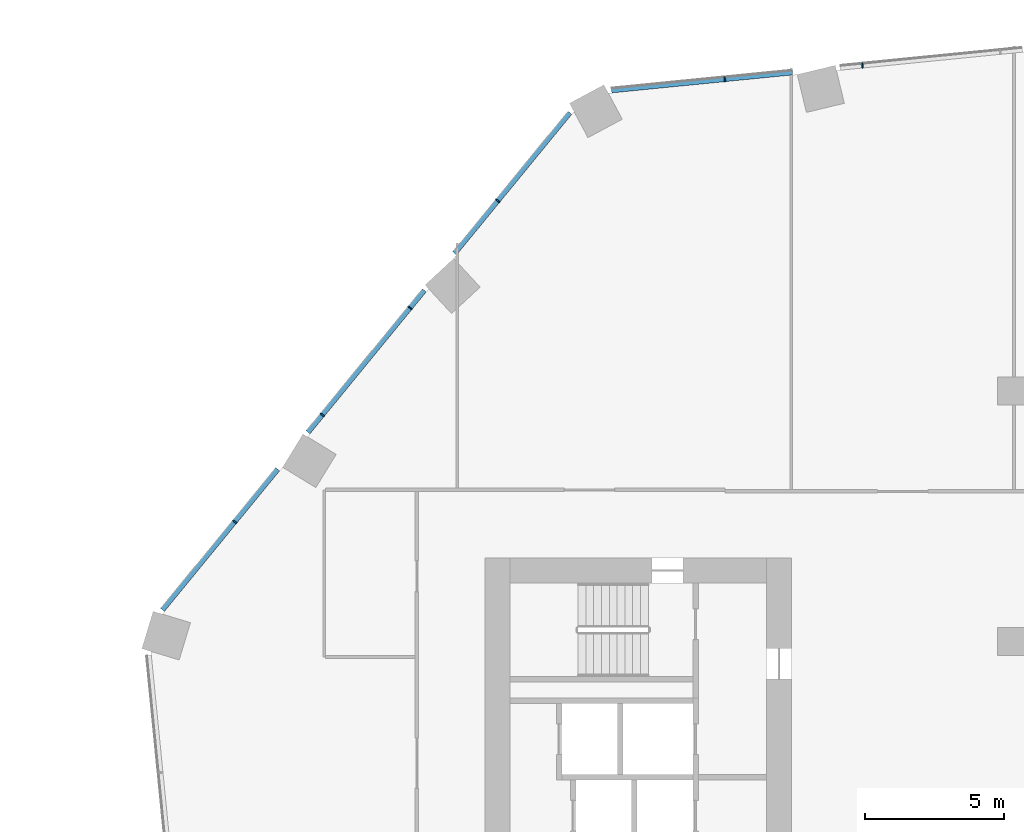
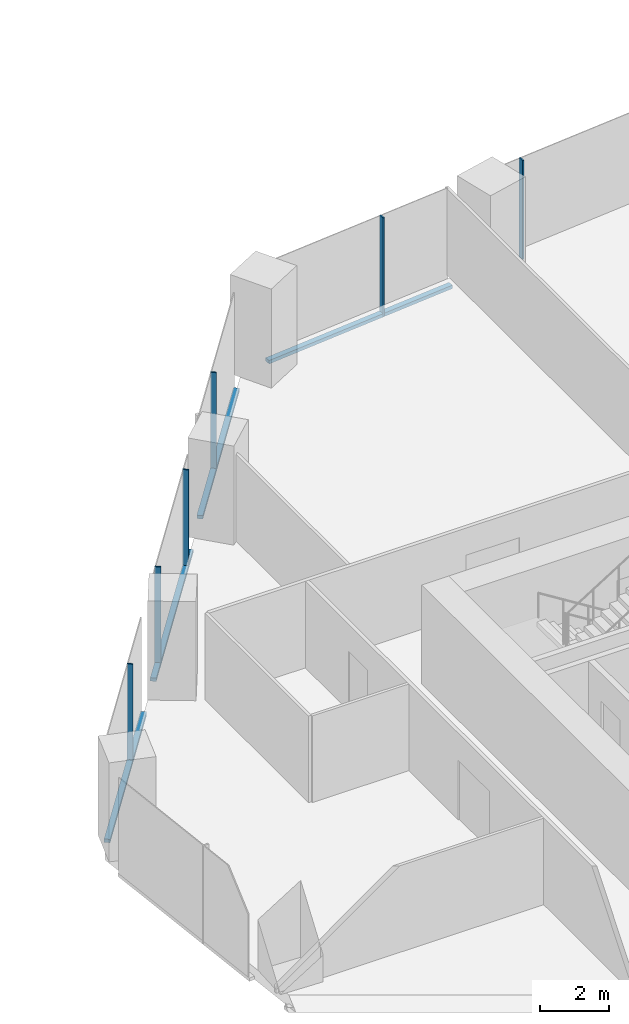
# One storey, part 12 of 34: 10 members, 2 elements without a shape of their own.
"""IFC4 building model written with IfcOpenShell, lengths in metres."""

from ifc_helpers import new_model, si_unit, direction, frame, origin, origin_2d, place, context, subcontext, project, spatial, rectangle, extrude, material, material_profile, profile_set, type_object, element, aggregate, save


model = new_model("IFC4")

# Units and contexts
model_context = context("Model", 3, precision=1e-05, world=origin(), true_north=direction((0.0, 1.0)))
body_context = subcontext(model_context, "Body", "Model", "MODEL_VIEW")
ifc_project = project(units=[si_unit("LENGTHUNIT", "METRE"), si_unit("AREAUNIT", "SQUARE_METRE"), si_unit("VOLUMEUNIT", "CUBIC_METRE"), si_unit("PLANEANGLEUNIT", "RADIAN"), si_unit("MASSUNIT", "GRAM", prefix="KILO")], contexts=[model_context])

# Site, building, storey
site_placement = place(None, origin())
site = spatial("IfcSite", under=ifc_project, at=site_placement, CompositionType="ELEMENT")
building_placement = place(site_placement, origin())
building = spatial("IfcBuilding", under=site, at=building_placement, Name="Orlundy Tower", CompositionType="ELEMENT")
storey_placement = place(building_placement, frame((0.0, 0.0, 47.800048828125)))
storey = spatial("IfcBuildingStorey", under=building, at=storey_placement, Name="L10", CompositionType="ELEMENT", Elevation=47.800048828125)

# Curtain wall, members
ifc_material_1 = material(Name="Aluminium bronze anodised", Category="aluminium")
curtain_wall_type = type_object("IfcCurtainWallType", Name="CW1 wall", PredefinedType="NOTDEFINED", material=ifc_material_1)
curtain_wall_1_placement = place(storey_placement, origin())
curtain_wall_1 = element("IfcCurtainWall", 1, at=curtain_wall_1_placement, inside=storey, type_object=curtain_wall_type, Name="CW1 run 02", PredefinedType="NOTDEFINED")
ifc_material_2 = material(Name="Aluminium bronze anodised", Category="aluminium")
ifc_material_profile_1 = material_profile(ifc_material_2, rectangle(XDim=0.179931640625, YDim=0.050048828125, at=origin_2d()), Name="CW1 mullion 50x180")
ifc_profile_set_1 = profile_set([ifc_material_profile_1], Name="Aluminium bronze anodised")
member_type_1 = type_object("IfcMemberType", Name="CW1 mullion 50x180", PredefinedType="MULLION", material=ifc_profile_set_1)
member_1_placement = place(storey_placement, frame((-27.999267578125, 13.3046875, -0.420166015625), z_axis=(0.0, 0.0, 1.0), x_axis=(-0.773482002143, 0.633818264458, 0.0)))
member_1 = element("IfcMember", 2, at=member_1_placement, type_object=member_type_1, Name="CW1 mullion 10", PredefinedType="MULLION", context=body_context, shape_type="SweptSolid", body=[
    extrude(rectangle(XDim=0.179931640625, YDim=0.050048828125, at=origin_2d()), origin(), (0.0, 0.0, 1.0), 3.5),
])
member_2_placement = place(storey_placement, frame((-24.848876953125, 17.149169921875, -0.420166015625), z_axis=(0.0, 0.0, 1.0), x_axis=(-0.773482002143, 0.633818264458, 0.0)))
member_2 = element("IfcMember", 3, at=member_2_placement, type_object=member_type_1, Name="CW1 mullion 11", PredefinedType="MULLION", context=body_context, shape_type="SweptSolid", body=[
    extrude(rectangle(XDim=0.179931640625, YDim=0.050048828125, at=origin_2d()), origin(), (0.0, 0.0, 1.0), 3.5),
])
member_3_placement = place(storey_placement, frame((-21.698486328125, 20.993896484375, -0.420166015625), z_axis=(0.0, 0.0, 1.0), x_axis=(-0.773482002143, 0.633818264458, 0.0)))
member_3 = element("IfcMember", 4, at=member_3_placement, type_object=member_type_1, Name="CW1 mullion 12", PredefinedType="MULLION", context=body_context, shape_type="SweptSolid", body=[
    extrude(rectangle(XDim=0.179931640625, YDim=0.050048828125, at=origin_2d()), origin(), (0.0, 0.0, 1.0), 3.5),
])
member_4_placement = place(storey_placement, frame((-18.548095703125, 24.83837890625, -0.420166015625), z_axis=(0.0, 0.0, 1.0), x_axis=(-0.773482002143, 0.633818264458, 0.0)))
member_4 = element("IfcMember", 5, at=member_4_placement, type_object=member_type_1, Name="CW1 mullion 13", PredefinedType="MULLION", context=body_context, shape_type="SweptSolid", body=[
    extrude(rectangle(XDim=0.179931640625, YDim=0.050048828125, at=origin_2d()), origin(), (0.0, 0.0, 1.0), 3.5),
])

curtain_wall_2_placement = place(storey_placement, origin())
curtain_wall_2 = element("IfcCurtainWall", 6, at=curtain_wall_2_placement, inside=storey, type_object=curtain_wall_type, Name="CW1 run 03", PredefinedType="NOTDEFINED")
member_5_placement = place(storey_placement, frame((-10.390625, 29.206298828125, -0.420166015625), z_axis=(0.0, 0.0, 1.0), x_axis=(-0.098742763424, 0.995112991912, 0.0)))
member_5 = element("IfcMember", 7, at=member_5_placement, type_object=member_type_1, Name="CW1 mullion 15", PredefinedType="MULLION", context=body_context, shape_type="SweptSolid", body=[
    extrude(rectangle(XDim=0.179931640625, YDim=0.050048828125, at=origin_2d()), origin(), (0.0, 0.0, 1.0), 3.5),
])
member_6_placement = place(storey_placement, frame((-5.444580078125, 29.697265625, -0.420166015625), z_axis=(0.0, 0.0, 1.0), x_axis=(-0.098742763424, 0.995112991912, 0.0)))
member_6 = element("IfcMember", 8, at=member_6_placement, type_object=member_type_1, Name="CW1 mullion 16", PredefinedType="MULLION", context=body_context, shape_type="SweptSolid", body=[
    extrude(rectangle(XDim=0.179931640625, YDim=0.050048828125, at=origin_2d()), origin(), (0.0, 0.0, 1.0), 3.5),
])

# Member
ifc_material_3 = material(Name="Aluminium bronze anodised", Category="aluminium")
ifc_material_profile_2 = material_profile(ifc_material_3, rectangle(XDim=0.179931640625, YDim=0.1201171875, at=origin_2d()), Name="CW1 transom 180x120")
ifc_profile_set_2 = profile_set([ifc_material_profile_2], Name="Aluminium bronze anodised")
member_type_2 = type_object("IfcMemberType", Name="CW1 transom 180x120", PredefinedType="USERDEFINED", material=ifc_profile_set_2)
member_7_placement = place(storey_placement, frame((-30.590087890625, 10.142822265625, -0.360107421875), z_axis=(0.633823853358, 0.773477422369, 0.0), x_axis=(-0.773477422369, 0.633823853358, 0.0)))
member_7 = element("IfcMember", 9, at=member_7_placement, type_object=member_type_2, Name="CW1 transom", ObjectType="TRANSOM", PredefinedType="USERDEFINED", context=body_context, shape_type="SweptSolid", body=[
    extrude(rectangle(XDim=0.179931640625, YDim=0.1201171875, at=origin_2d()), origin(), (0.0, 0.0, 1.0), 6.53125),
])

member_8_placement = place(storey_placement, frame((-25.36279296875, 16.52197265625, -0.360107421875), z_axis=(0.633828457298, 0.77347364966, 0.0), x_axis=(-0.77347364966, 0.633828457298, 0.0)))
member_8 = element("IfcMember", 10, at=member_8_placement, type_object=member_type_2, Name="CW1 transom", ObjectType="TRANSOM", PredefinedType="USERDEFINED", context=body_context, shape_type="SweptSolid", body=[
    extrude(rectangle(XDim=0.179931640625, YDim=0.1201171875, at=origin_2d()), origin(), (0.0, 0.0, 1.0), 6.5927734375),
])

member_9_placement = place(storey_placement, frame((-20.096435546875, 22.94873046875, -0.360107421875), z_axis=(0.633805527975, 0.773492438688, 0.0), x_axis=(-0.773492438688, 0.633805527975, 0.0)))
member_9 = element("IfcMember", 11, at=member_9_placement, type_object=member_type_2, Name="CW1 transom", ObjectType="TRANSOM", PredefinedType="USERDEFINED", context=body_context, shape_type="SweptSolid", body=[
    extrude(rectangle(XDim=0.179931640625, YDim=0.1201171875, at=origin_2d()), origin(), (0.0, 0.0, 1.0), 6.531494140625),
])

aggregate(curtain_wall_1, [member_1, member_2, member_3, member_4, member_7, member_8, member_9])

member_10_placement = place(storey_placement, frame((-14.457763671875, 28.802734375, -0.360107421875), z_axis=(0.995111303398, 0.098759778505, 0.0), x_axis=(-0.098759778505, 0.995111303398, 0.0)))
member_10 = element("IfcMember", 12, at=member_10_placement, type_object=member_type_2, Name="CW1 transom", ObjectType="TRANSOM", PredefinedType="USERDEFINED", context=body_context, shape_type="SweptSolid", body=[
    extrude(rectangle(XDim=0.179931640625, YDim=0.1201171875, at=origin_2d()), origin(), (0.0, 0.0, 1.0), 6.53125),
])

aggregate(curtain_wall_2, [member_5, member_6, member_10])

save(model, "model.ifc")
